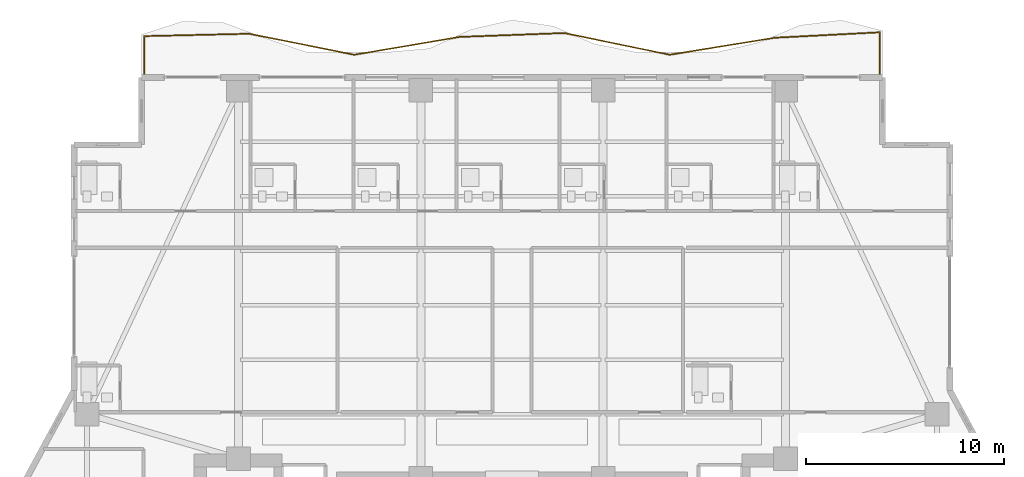
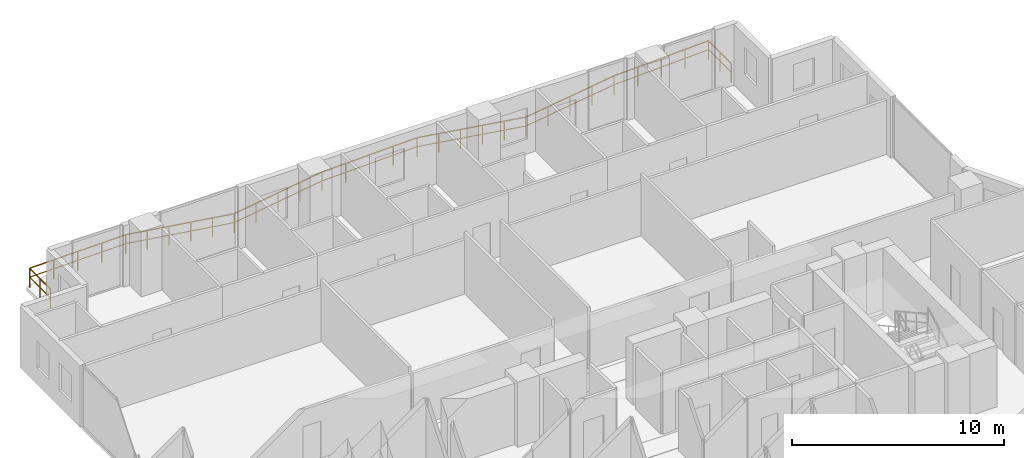
# One storey, part 32 of 33: 1 railing.
"""IFC4 building model written with IfcOpenShell, lengths in metres."""

from ifc_helpers import new_model, si_unit, direction, frame, origin, origin_2d, place, context, subcontext, project, spatial, rectangle, extrude, material, type_object, element, save


model = new_model("IFC4")

# Units and contexts
model_context = context("Model", 3, precision=1e-05, world=origin(), true_north=direction((0.0, 1.0)))
body_context = subcontext(model_context, "Body", "Model", "MODEL_VIEW")
ifc_project = project(units=[si_unit("LENGTHUNIT", "METRE"), si_unit("AREAUNIT", "SQUARE_METRE"), si_unit("VOLUMEUNIT", "CUBIC_METRE"), si_unit("PLANEANGLEUNIT", "RADIAN"), si_unit("MASSUNIT", "GRAM", prefix="KILO")], contexts=[model_context])

# Site, building, storey
site_placement = place(None, origin())
site = spatial("IfcSite", under=ifc_project, at=site_placement, CompositionType="ELEMENT")
building_placement = place(site_placement, origin())
building = spatial("IfcBuilding", under=site, at=building_placement, Name="Zuhayl Quay Hotel", CompositionType="ELEMENT")
storey_placement = place(building_placement, frame((0.0, 0.0, 207.39990234375)))
storey = spatial("IfcBuildingStorey", under=building, at=storey_placement, Name="L52", CompositionType="ELEMENT", Elevation=207.39990234375)

# Railing
ifc_material = material(Name="Anodised Aluminium and Laminated Glass", Category="aluminium")
railing_type = type_object("IfcRailingType", Name="RL_EXT_BAL_1100", PredefinedType="BALUSTRADE", material=ifc_material)
railing_placement = place(storey_placement, frame((-18.56005859375, 33.719970703125, 0.0)))
element("IfcRailing", 1, at=railing_placement, inside=storey, type_object=railing_type, Name="L52 Balcony and Terrace Guard GR_L52_BAL_N", PredefinedType="BALUSTRADE", context=body_context, shape_type="SweptSolid", body=[
    extrude(rectangle(XDim=0.048095703125, YDim=0.048095703125, at=origin_2d()), frame((0.0, 0.0, 1.09619140625), z_axis=(0.0, 1.0, 0.0), x_axis=(-1.0, 0.0, 0.0)), (0.0, 0.0, 1.0), 1.96044921875),
    extrude(rectangle(XDim=0.0361328125, YDim=0.0361328125, at=origin_2d()), frame((0.0, 0.0, 0.58251953125), z_axis=(0.0, 1.0, 0.0), x_axis=(-1.0, 0.0, 0.0)), (0.0, 0.0, 1.0), 1.96044921875),
    extrude(rectangle(XDim=0.048095703125, YDim=0.048095703125, at=origin_2d()), frame((0.0, 1.96044921875, 1.09619140625), z_axis=(0.999743567242, 0.022645082413, 0.0), x_axis=(-0.022645082413, 0.999743567242, 0.0)), (0.0, 0.0, 1.0), 5.304443359375),
    extrude(rectangle(XDim=0.0361328125, YDim=0.0361328125, at=origin_2d()), frame((0.0, 1.96044921875, 0.58251953125), z_axis=(0.999743567242, 0.022645082413, 0.0), x_axis=(-0.022645082413, 0.999743567242, 0.0)), (0.0, 0.0, 1.0), 5.304443359375),
    extrude(rectangle(XDim=0.048095703125, YDim=0.048095703125, at=origin_2d()), frame((5.302978515625, 2.08056640625, 1.09619140625), z_axis=(0.980580675691, -0.196116135138, 0.0), x_axis=(0.196116135138, 0.980580675691, 0.0)), (0.0, 0.0, 1.0), 5.40771484375),
    extrude(rectangle(XDim=0.0361328125, YDim=0.0361328125, at=origin_2d()), frame((5.302978515625, 2.08056640625, 0.58251953125), z_axis=(0.980580675691, -0.196116135138, 0.0), x_axis=(0.196116135138, 0.980580675691, 0.0)), (0.0, 0.0, 1.0), 5.40771484375),
    extrude(rectangle(XDim=0.048095703125, YDim=0.048095703125, at=origin_2d()), frame((10.605712890625, 1.02001953125, 1.09619140625), z_axis=(0.985897587824, 0.1673497724, 0.0), x_axis=(-0.1673497724, 0.985897587824, 0.0)), (0.0, 0.0, 1.0), 5.37890625),
    extrude(rectangle(XDim=0.0361328125, YDim=0.0361328125, at=origin_2d()), frame((10.605712890625, 1.02001953125, 0.58251953125), z_axis=(0.985897587824, 0.1673497724, 0.0), x_axis=(-0.1673497724, 0.985897587824, 0.0)), (0.0, 0.0, 1.0), 5.37890625),
    extrude(rectangle(XDim=0.048095703125, YDim=0.048095703125, at=origin_2d()), frame((15.90869140625, 1.920166015625, 1.09619140625), z_axis=(0.999308769956, 0.037175022381, 0.0), x_axis=(-0.037175022381, 0.999308769956, 0.0)), (0.0, 0.0, 1.0), 5.306396484375),
    extrude(rectangle(XDim=0.0361328125, YDim=0.0361328125, at=origin_2d()), frame((15.90869140625, 1.920166015625, 0.58251953125), z_axis=(0.999308769956, 0.037175022381, 0.0), x_axis=(-0.037175022381, 0.999308769956, 0.0)), (0.0, 0.0, 1.0), 5.306396484375),
    extrude(rectangle(XDim=0.048095703125, YDim=0.048095703125, at=origin_2d()), frame((21.21142578125, 2.117431640625, 1.09619140625), z_axis=(0.979251473888, -0.202648836385, 0.0), x_axis=(0.202648836385, 0.979251473888, 0.0)), (0.0, 0.0, 1.0), 5.415283203125),
    extrude(rectangle(XDim=0.0361328125, YDim=0.0361328125, at=origin_2d()), frame((21.21142578125, 2.117431640625, 0.58251953125), z_axis=(0.979251473888, -0.202648836385, 0.0), x_axis=(0.202648836385, 0.979251473888, 0.0)), (0.0, 0.0, 1.0), 5.415283203125),
    extrude(rectangle(XDim=0.048095703125, YDim=0.048095703125, at=origin_2d()), frame((26.514404296875, 1.02001953125, 1.09619140625), z_axis=(0.987128175587, 0.159931125686, 0.0), x_axis=(-0.159931125686, 0.987128175587, 0.0)), (0.0, 0.0, 1.0), 5.371826171875),
    extrude(rectangle(XDim=0.0361328125, YDim=0.0361328125, at=origin_2d()), frame((26.514404296875, 1.02001953125, 0.58251953125), z_axis=(0.987128175587, 0.159931125686, 0.0), x_axis=(-0.159931125686, 0.987128175587, 0.0)), (0.0, 0.0, 1.0), 5.371826171875),
    extrude(rectangle(XDim=0.048095703125, YDim=0.048095703125, at=origin_2d()), frame((31.817138671875, 1.879150390625, 1.09619140625), z_axis=(0.998663798794, 0.051678012515, 0.0), x_axis=(-0.051678012515, 0.998663798794, 0.0)), (0.0, 0.0, 1.0), 5.31005859375),
    extrude(rectangle(XDim=0.0361328125, YDim=0.0361328125, at=origin_2d()), frame((31.817138671875, 1.879150390625, 0.58251953125), z_axis=(0.998663798794, 0.051678012515, 0.0), x_axis=(-0.051678012515, 0.998663798794, 0.0)), (0.0, 0.0, 1.0), 5.31005859375),
    extrude(rectangle(XDim=0.048095703125, YDim=0.048095703125, at=origin_2d()), frame((37.1201171875, 2.153564453125, 1.09619140625), z_axis=(0.0, -1.0, 0.0), x_axis=(1.0, 0.0, 0.0)), (0.0, 0.0, 1.0), 2.153564453125),
    extrude(rectangle(XDim=0.0361328125, YDim=0.0361328125, at=origin_2d()), frame((37.1201171875, 2.153564453125, 0.58251953125), z_axis=(0.0, -1.0, 0.0), x_axis=(1.0, 0.0, 0.0)), (0.0, 0.0, 1.0), 2.153564453125),
    extrude(rectangle(XDim=0.0419921875, YDim=0.0419921875, at=origin_2d()), origin(), (0.0, 0.0, 1.0), 1.072021484375),
    extrude(rectangle(XDim=0.0419921875, YDim=0.0419921875, at=origin_2d()), frame((0.0, 0.980224609375, 0.0)), (0.0, 0.0, 1.0), 1.072021484375),
    extrude(rectangle(XDim=0.0419921875, YDim=0.0419921875, at=origin_2d()), frame((0.0, 1.96044921875, 0.0)), (0.0, 0.0, 1.0), 1.072021484375),
    extrude(rectangle(XDim=0.0419921875, YDim=0.0419921875, at=origin_2d()), frame((1.32568359375, 1.990478515625, 0.0)), (0.0, 0.0, 1.0), 1.072021484375),
    extrude(rectangle(XDim=0.0419921875, YDim=0.0419921875, at=origin_2d()), frame((2.6513671875, 2.0205078125, 0.0)), (0.0, 0.0, 1.0), 1.072021484375),
    extrude(rectangle(XDim=0.0419921875, YDim=0.0419921875, at=origin_2d()), frame((3.977294921875, 2.050537109375, 0.0)), (0.0, 0.0, 1.0), 1.072021484375),
    extrude(rectangle(XDim=0.0419921875, YDim=0.0419921875, at=origin_2d()), frame((5.302978515625, 2.08056640625, 0.0)), (0.0, 0.0, 1.0), 1.072021484375),
    extrude(rectangle(XDim=0.0419921875, YDim=0.0419921875, at=origin_2d()), frame((6.363525390625, 1.868408203125, 0.0)), (0.0, 0.0, 1.0), 1.072021484375),
    extrude(rectangle(XDim=0.0419921875, YDim=0.0419921875, at=origin_2d()), frame((7.424072265625, 1.65625, 0.0)), (0.0, 0.0, 1.0), 1.072021484375),
    extrude(rectangle(XDim=0.0419921875, YDim=0.0419921875, at=origin_2d()), frame((8.484619140625, 1.4443359375, 0.0)), (0.0, 0.0, 1.0), 1.072021484375),
    extrude(rectangle(XDim=0.0419921875, YDim=0.0419921875, at=origin_2d()), frame((9.545166015625, 1.232177734375, 0.0)), (0.0, 0.0, 1.0), 1.072021484375),
    extrude(rectangle(XDim=0.0419921875, YDim=0.0419921875, at=origin_2d()), frame((10.605712890625, 1.02001953125, 0.0)), (0.0, 0.0, 1.0), 1.072021484375),
    extrude(rectangle(XDim=0.0419921875, YDim=0.0419921875, at=origin_2d()), frame((11.931396484375, 1.2451171875, 0.0)), (0.0, 0.0, 1.0), 1.072021484375),
    extrude(rectangle(XDim=0.0419921875, YDim=0.0419921875, at=origin_2d()), frame((13.25732421875, 1.47021484375, 0.0)), (0.0, 0.0, 1.0), 1.072021484375),
    extrude(rectangle(XDim=0.0419921875, YDim=0.0419921875, at=origin_2d()), frame((14.5830078125, 1.695068359375, 0.0)), (0.0, 0.0, 1.0), 1.072021484375),
    extrude(rectangle(XDim=0.0419921875, YDim=0.0419921875, at=origin_2d()), frame((15.90869140625, 1.920166015625, 0.0)), (0.0, 0.0, 1.0), 1.072021484375),
    extrude(rectangle(XDim=0.0419921875, YDim=0.0419921875, at=origin_2d()), frame((17.234375, 1.969482421875, 0.0)), (0.0, 0.0, 1.0), 1.072021484375),
    extrude(rectangle(XDim=0.0419921875, YDim=0.0419921875, at=origin_2d()), frame((18.56005859375, 2.018798828125, 0.0)), (0.0, 0.0, 1.0), 1.072021484375),
    extrude(rectangle(XDim=0.0419921875, YDim=0.0419921875, at=origin_2d()), frame((19.8857421875, 2.068115234375, 0.0)), (0.0, 0.0, 1.0), 1.072021484375),
    extrude(rectangle(XDim=0.0419921875, YDim=0.0419921875, at=origin_2d()), frame((21.21142578125, 2.117431640625, 0.0)), (0.0, 0.0, 1.0), 1.072021484375),
    extrude(rectangle(XDim=0.0419921875, YDim=0.0419921875, at=origin_2d()), frame((22.27197265625, 1.89794921875, 0.0)), (0.0, 0.0, 1.0), 1.072021484375),
    extrude(rectangle(XDim=0.0419921875, YDim=0.0419921875, at=origin_2d()), frame((23.33251953125, 1.678466796875, 0.0)), (0.0, 0.0, 1.0), 1.072021484375),
    extrude(rectangle(XDim=0.0419921875, YDim=0.0419921875, at=origin_2d()), frame((24.393310546875, 1.458984375, 0.0)), (0.0, 0.0, 1.0), 1.072021484375),
    extrude(rectangle(XDim=0.0419921875, YDim=0.0419921875, at=origin_2d()), frame((25.453857421875, 1.239501953125, 0.0)), (0.0, 0.0, 1.0), 1.072021484375),
    extrude(rectangle(XDim=0.0419921875, YDim=0.0419921875, at=origin_2d()), frame((26.514404296875, 1.02001953125, 0.0)), (0.0, 0.0, 1.0), 1.072021484375),
    extrude(rectangle(XDim=0.0419921875, YDim=0.0419921875, at=origin_2d()), frame((27.840087890625, 1.23486328125, 0.0)), (0.0, 0.0, 1.0), 1.072021484375),
    extrude(rectangle(XDim=0.0419921875, YDim=0.0419921875, at=origin_2d()), frame((29.165771484375, 1.44970703125, 0.0)), (0.0, 0.0, 1.0), 1.072021484375),
    extrude(rectangle(XDim=0.0419921875, YDim=0.0419921875, at=origin_2d()), frame((30.491455078125, 1.664306640625, 0.0)), (0.0, 0.0, 1.0), 1.072021484375),
    extrude(rectangle(XDim=0.0419921875, YDim=0.0419921875, at=origin_2d()), frame((31.817138671875, 1.879150390625, 0.0)), (0.0, 0.0, 1.0), 1.072021484375),
    extrude(rectangle(XDim=0.0419921875, YDim=0.0419921875, at=origin_2d()), frame((33.142822265625, 1.94775390625, 0.0)), (0.0, 0.0, 1.0), 1.072021484375),
    extrude(rectangle(XDim=0.0419921875, YDim=0.0419921875, at=origin_2d()), frame((34.46875, 2.016357421875, 0.0)), (0.0, 0.0, 1.0), 1.072021484375),
    extrude(rectangle(XDim=0.0419921875, YDim=0.0419921875, at=origin_2d()), frame((35.79443359375, 2.0849609375, 0.0)), (0.0, 0.0, 1.0), 1.072021484375),
    extrude(rectangle(XDim=0.0419921875, YDim=0.0419921875, at=origin_2d()), frame((37.1201171875, 2.153564453125, 0.0)), (0.0, 0.0, 1.0), 1.072021484375),
    extrude(rectangle(XDim=0.0419921875, YDim=0.0419921875, at=origin_2d()), frame((37.1201171875, 1.07666015625, 0.0)), (0.0, 0.0, 1.0), 1.072021484375),
    extrude(rectangle(XDim=0.0419921875, YDim=0.0419921875, at=origin_2d()), frame((37.1201171875, 0.0, 0.0)), (0.0, 0.0, 1.0), 1.072021484375),
])

save(model, "model.ifc")
